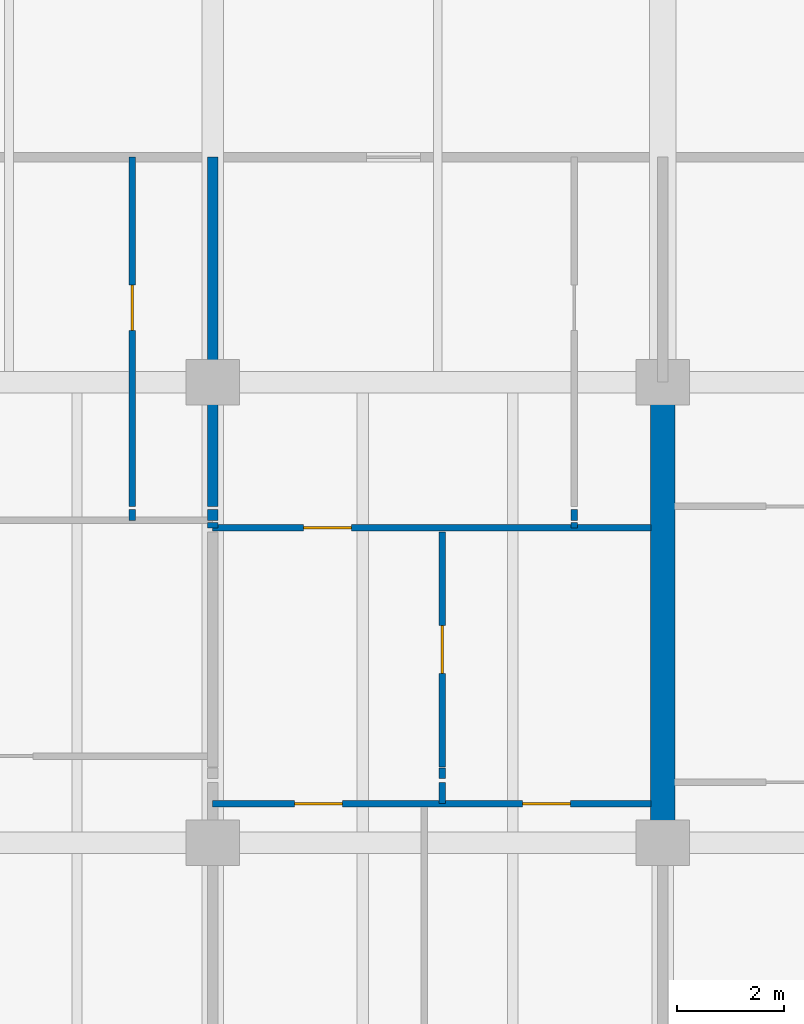
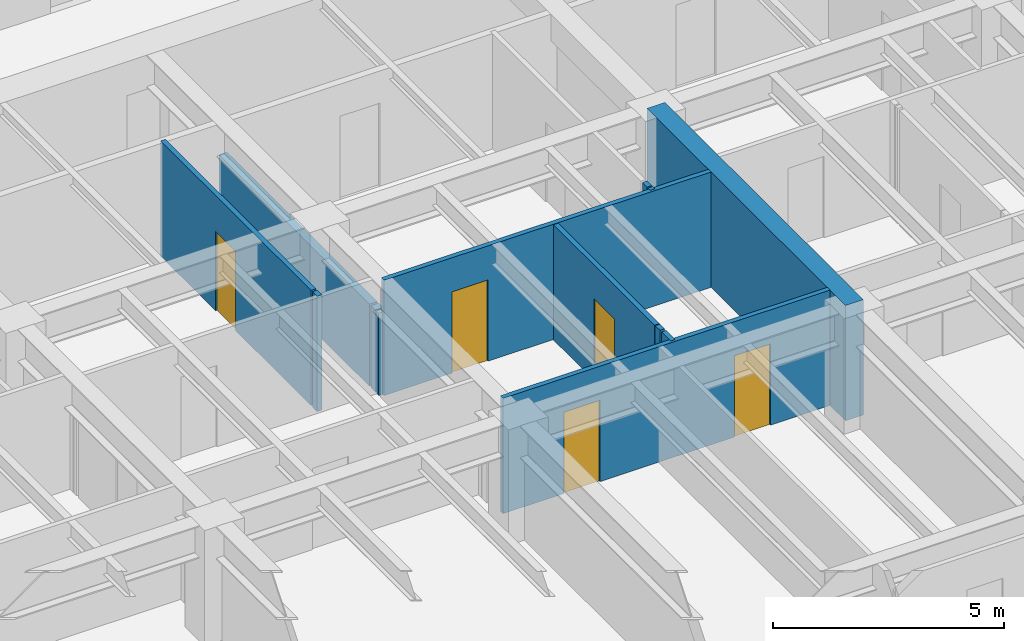
# One storey, part 9 of 20: 13 walls, 5 doors, 5 openings.
"""IFC4 building model written with IfcOpenShell, lengths in metres."""

from ifc_helpers import new_model, si_unit, direction, frame, frame_2d, origin, place, context, subcontext, project, spatial, rectangle, extrude, material, layer, layer_set, type_object, element, fill, save


model = new_model("IFC4")

# Units and contexts
model_context = context("Model", 3, precision=1e-05, world=origin(), true_north=direction((0.0, 1.0)))
body_context = subcontext(model_context, "Body", "Model", "MODEL_VIEW")
ifc_project = project(units=[si_unit("LENGTHUNIT", "METRE"), si_unit("AREAUNIT", "SQUARE_METRE"), si_unit("VOLUMEUNIT", "CUBIC_METRE"), si_unit("PLANEANGLEUNIT", "RADIAN"), si_unit("MASSUNIT", "GRAM", prefix="KILO")], contexts=[model_context])

# Site, building, storey
site_placement = place(None, origin())
site = spatial("IfcSite", under=ifc_project, at=site_placement, CompositionType="ELEMENT")
building_placement = place(site_placement, origin())
building = spatial("IfcBuilding", under=site, at=building_placement, Name="Caelmar Bay Residences", CompositionType="ELEMENT")
storey_placement = place(building_placement, frame((0.0, 0.0, 119.10009765625)))
storey = spatial("IfcBuildingStorey", under=building, at=storey_placement, Name="L32", CompositionType="ELEMENT", Elevation=119.10009765625)

# Walls
ifc_material_1 = material(Name="Concrete f'c 55 MPa (8,000 psi)", Category="concrete")
ifc_layer_1 = layer(ifc_material_1, 0.449951171875)
ifc_layer_set_1 = layer_set([ifc_layer_1], Name="Concrete f'c 55 MPa (8,000 psi)")
wall_type_1 = type_object("IfcWallType", Name="SW-XSLB-450", PredefinedType="SHEAR", material=ifc_layer_set_1)
wall_1_placement = place(storey_placement, frame((51.10009765625, 20.800048828125, 0.0), z_axis=(0.0, 0.0, 1.0), x_axis=(0.0, 1.0, 0.0)))
element("IfcWall", 1, at=wall_1_placement, inside=storey, type_object=wall_type_1, Name="L32 Transverse Cross-Slab Shear Wall E8", PredefinedType="SHEAR", context=body_context, shape_type="SweptSolid", body=[
    extrude(rectangle(XDim=8.599853515625, YDim=0.449951171875, at=frame_2d((4.2998046875, 0.0))), origin(), (0.0, 0.0, 1.0), 3.0498046875),
])
ifc_material_2 = material(Name="Acoustic metal-stud gypsum partition 120 mm")
ifc_layer_2 = layer(ifc_material_2, 0.1201171875)
ifc_layer_set_2 = layer_set([ifc_layer_2], Name="Acoustic metal-stud gypsum partition 120 mm")
wall_type_2 = type_object("IfcWallType", Name="W-PRT-120", PredefinedType="PARTITIONING", material=ifc_layer_set_2)
wall_2_placement = place(storey_placement, frame((41.199951171875, 26.820068359375, 0.0), z_axis=(0.0, 0.0, 1.0), x_axis=(0.0, 1.0, 0.0)))
element("IfcWall", 2, at=wall_2_placement, inside=storey, type_object=wall_type_2, Name="L32 Partition Wall V054", PredefinedType="PARTITIONING", context=body_context, shape_type="SweptSolid", body=[
    extrude(rectangle(XDim=0.199951171875, YDim=0.1201171875, at=frame_2d((0.10009765625, 0.0))), origin(), (0.0, 0.0, 1.0), 3.0498046875),
])

# Wall, opening, door
wall_3_placement = place(storey_placement, frame((41.199951171875, 27.080078125, 0.0), z_axis=(0.0, 0.0, 1.0), x_axis=(0.0, 1.0, 0.0)))
wall_3 = element("IfcWall", 3, at=wall_3_placement, inside=storey, type_object=wall_type_2, Name="L32 Partition Wall V055", PredefinedType="PARTITIONING", context=body_context, shape_type="SweptSolid", body=[
    extrude(rectangle(XDim=6.52001953125, YDim=0.1201171875, at=frame_2d((3.260009765625, 0.0))), origin(), (0.0, 0.0, 1.0), 3.0498046875),
])
opening_1_placement = place(wall_3_placement, frame((3.284912109375, 0.0, 0.0)))
opening_1 = element("IfcOpeningElement", 4, at=opening_1_placement, cuts=wall_3, Name="Opening D-L32-140", PredefinedType="OPENING", context=body_context, shape_type="SweptSolid", body=[
    extrude(rectangle(XDim=0.85009765625, YDim=2.10009765625, at=frame_2d((0.425048828125, 1.050048828125))), frame((0.0, 0.070068359375, 0.0), z_axis=(0.0, -1.0, 0.0), x_axis=(1.0, 0.0, 0.0)), (0.0, 0.0, 1.0), 0.14013671875),
])
ifc_material_3 = material(Name="Solid walnut timber interior door leaf and frame", Category="wood")
ifc_layer_3 = layer(ifc_material_3, 0.050048828125)
ifc_layer_set_3 = layer_set([ifc_layer_3], Name="Solid walnut timber interior door leaf and frame")
door_type_1 = type_object("IfcDoorType", Name="D-BATH-850", OperationType="NOTDEFINED", PredefinedType="DOOR", material=ifc_layer_set_3)
door_1_placement = place(opening_1_placement, origin())
door_1 = element("IfcDoor", 5, at=door_1_placement, inside=storey, type_object=door_type_1, Name="L32 Residence 02 En-Suite Bathroom 1 Door", OperationType="SINGLE_SWING_RIGHT", OverallHeight=2.10009765625, OverallWidth=0.85009765625, PredefinedType="DOOR", context=body_context, shape_type="SweptSolid", body=[
    extrude(rectangle(XDim=0.85009765625, YDim=2.10009765625, at=frame_2d((0.425048828125, 1.050048828125))), frame((0.0, 0.02490234375, 0.0), z_axis=(0.0, -1.0, 0.0), x_axis=(1.0, 0.0, 0.0)), (0.0, 0.0, 1.0), 0.050048828125),
])
fill(opening_1, door_1)

# Walls
wall_4_placement = place(storey_placement, frame((46.986083984375, 21.530029296875, 0.0), z_axis=(0.0, 0.0, 1.0), x_axis=(0.0, 1.0, 0.0)))
element("IfcWall", 6, at=wall_4_placement, inside=storey, type_object=wall_type_2, Name="L32 Partition Wall V069", PredefinedType="PARTITIONING", context=body_context, shape_type="SweptSolid", body=[
    extrude(rectangle(XDim=0.39990234375, YDim=0.1201171875, at=frame_2d((0.199951171875, 0.0))), origin(), (0.0, 0.0, 1.0), 3.0498046875),
])
wall_5_placement = place(storey_placement, frame((46.986083984375, 22.0, 0.0), z_axis=(0.0, 0.0, 1.0), x_axis=(0.0, 1.0, 0.0)))
element("IfcWall", 7, at=wall_5_placement, inside=storey, type_object=wall_type_2, Name="L32 Partition Wall V070", PredefinedType="PARTITIONING", context=body_context, shape_type="SweptSolid", body=[
    extrude(rectangle(XDim=0.199951171875, YDim=0.1201171875, at=frame_2d((0.10009765625, 0.0))), origin(), (0.0, 0.0, 1.0), 3.0498046875),
])

# Wall, opening, door
wall_6_placement = place(storey_placement, frame((46.986083984375, 22.219970703125, 0.0), z_axis=(0.0, 0.0, 1.0), x_axis=(0.0, 1.0, 0.0)))
wall_6 = element("IfcWall", 8, at=wall_6_placement, inside=storey, type_object=wall_type_2, Name="L32 Partition Wall V071", PredefinedType="PARTITIONING", context=body_context, shape_type="SweptSolid", body=[
    extrude(rectangle(XDim=4.380126953125, YDim=0.1201171875, at=frame_2d((2.18994140625, 0.0))), origin(), (0.0, 0.0, 1.0), 3.0498046875),
])
opening_2_placement = place(wall_6_placement, frame((1.739990234375, 0.0, 0.0)))
opening_2 = element("IfcOpeningElement", 9, at=opening_2_placement, cuts=wall_6, Name="Opening D-L32-146", PredefinedType="OPENING", context=body_context, shape_type="SweptSolid", body=[
    extrude(rectangle(XDim=0.89990234375, YDim=2.14990234375, at=frame_2d((0.449951171875, 1.074951171875))), frame((0.0, 0.070068359375, 0.0), z_axis=(0.0, -1.0, 0.0), x_axis=(1.0, 0.0, 0.0)), (0.0, 0.0, 1.0), 0.14013671875),
])
ifc_layer_4 = layer(ifc_material_3, 0.050048828125)
ifc_layer_set_4 = layer_set([ifc_layer_4], Name="Solid walnut timber interior door leaf and frame")
door_type_2 = type_object("IfcDoorType", Name="D-ROOM-900", OperationType="NOTDEFINED", PredefinedType="DOOR", material=ifc_layer_set_4)
door_2_placement = place(opening_2_placement, origin())
door_2 = element("IfcDoor", 10, at=door_2_placement, inside=storey, type_object=door_type_2, Name="L32 Residence 03 Private Meeting Room Door", OperationType="SINGLE_SWING_RIGHT", OverallHeight=2.14990234375, OverallWidth=0.89990234375, PredefinedType="DOOR", context=body_context, shape_type="SweptSolid", body=[
    extrude(rectangle(XDim=0.89990234375, YDim=2.14990234375, at=frame_2d((0.449951171875, 1.074951171875))), frame((0.0, 0.02490234375, 0.0), z_axis=(0.0, -1.0, 0.0), x_axis=(1.0, 0.0, 0.0)), (0.0, 0.0, 1.0), 0.050048828125),
])
fill(opening_2, door_2)

# Walls
wall_7_placement = place(storey_placement, frame((49.449951171875, 26.679931640625, 0.0), z_axis=(0.0, 0.0, 1.0), x_axis=(0.0, 1.0, 0.0)))
element("IfcWall", 11, at=wall_7_placement, inside=storey, type_object=wall_type_2, Name="L32 Partition Wall V073", PredefinedType="PARTITIONING", context=body_context, shape_type="SweptSolid", body=[
    extrude(rectangle(XDim=0.10009765625, YDim=0.1201171875, at=frame_2d((0.050048828125, 0.0))), origin(), (0.0, 0.0, 1.0), 3.0498046875),
])
wall_8_placement = place(storey_placement, frame((49.449951171875, 26.820068359375, 0.0), z_axis=(0.0, 0.0, 1.0), x_axis=(0.0, 1.0, 0.0)))
element("IfcWall", 12, at=wall_8_placement, inside=storey, type_object=wall_type_2, Name="L32 Partition Wall V074", PredefinedType="PARTITIONING", context=body_context, shape_type="SweptSolid", body=[
    extrude(rectangle(XDim=0.199951171875, YDim=0.1201171875, at=frame_2d((0.10009765625, 0.0))), origin(), (0.0, 0.0, 1.0), 3.0498046875),
])

# Wall, openings, doors
wall_9_placement = place(storey_placement, frame((42.699951171875, 21.530029296875, 0.0), z_axis=(0.0, 0.0, 1.0), x_axis=(1.0, 0.0, 0.0)))
wall_9 = element("IfcWall", 13, at=wall_9_placement, inside=storey, type_object=wall_type_2, Name="L32 Partition Wall H129", PredefinedType="PARTITIONING", context=body_context, shape_type="SweptSolid", body=[
    extrude(rectangle(XDim=8.179931640625, YDim=0.1201171875, at=frame_2d((4.08984375, 0.0))), origin(), (0.0, 0.0, 1.0), 3.0498046875),
])
opening_3_placement = place(wall_9_placement, frame((1.52392578125, 0.0, 0.0)))
opening_3 = element("IfcOpeningElement", 14, at=opening_3_placement, cuts=wall_9, Name="Opening D-L32-147", PredefinedType="OPENING", context=body_context, shape_type="SweptSolid", body=[
    extrude(rectangle(XDim=0.89990234375, YDim=2.14990234375, at=frame_2d((0.449951171875, 1.074951171875))), frame((0.0, 0.070068359375, 0.0), z_axis=(0.0, -1.0, 0.0), x_axis=(1.0, 0.0, 0.0)), (0.0, 0.0, 1.0), 0.14013671875),
])
opening_4_placement = place(wall_9_placement, frame((5.782958984375, 0.0, 0.0)))
opening_4 = element("IfcOpeningElement", 15, at=opening_4_placement, cuts=wall_9, Name="Opening D-L32-148", PredefinedType="OPENING", context=body_context, shape_type="SweptSolid", body=[
    extrude(rectangle(XDim=0.89990234375, YDim=2.14990234375, at=frame_2d((0.449951171875, 1.074951171875))), frame((0.0, 0.070068359375, 0.0), z_axis=(0.0, -1.0, 0.0), x_axis=(1.0, 0.0, 0.0)), (0.0, 0.0, 1.0), 0.14013671875),
])
door_3_placement = place(opening_3_placement, origin())
door_3 = element("IfcDoor", 16, at=door_3_placement, inside=storey, type_object=door_type_2, Name="L32 Residence 03 Living Room Door", OperationType="SINGLE_SWING_LEFT", OverallHeight=2.14990234375, OverallWidth=0.89990234375, PredefinedType="DOOR", context=body_context, shape_type="SweptSolid", body=[
    extrude(rectangle(XDim=0.89990234375, YDim=2.14990234375, at=frame_2d((0.449951171875, 1.074951171875))), frame((0.0, 0.02490234375, 0.0), z_axis=(0.0, -1.0, 0.0), x_axis=(1.0, 0.0, 0.0)), (0.0, 0.0, 1.0), 0.050048828125),
])
fill(opening_3, door_3)
door_4_placement = place(opening_4_placement, origin())
door_4 = element("IfcDoor", 17, at=door_4_placement, inside=storey, type_object=door_type_2, Name="L32 Residence 03 Penthouse Sitting Room Door", OperationType="SINGLE_SWING_RIGHT", OverallHeight=2.14990234375, OverallWidth=0.89990234375, PredefinedType="DOOR", context=body_context, shape_type="SweptSolid", body=[
    extrude(rectangle(XDim=0.89990234375, YDim=2.14990234375, at=frame_2d((0.449951171875, 1.074951171875))), frame((0.0, 0.02490234375, 0.0), z_axis=(0.0, -1.0, 0.0), x_axis=(1.0, 0.0, 0.0)), (0.0, 0.0, 1.0), 0.050048828125),
])
fill(opening_4, door_4)

# Wall, opening, door
wall_10_placement = place(storey_placement, frame((42.699951171875, 26.679931640625, 0.0), z_axis=(0.0, 0.0, 1.0), x_axis=(1.0, 0.0, 0.0)))
wall_10 = element("IfcWall", 18, at=wall_10_placement, inside=storey, type_object=wall_type_2, Name="L32 Partition Wall H137", PredefinedType="PARTITIONING", context=body_context, shape_type="SweptSolid", body=[
    extrude(rectangle(XDim=8.179931640625, YDim=0.1201171875, at=frame_2d((4.08984375, 0.0))), origin(), (0.0, 0.0, 1.0), 3.0498046875),
])
opening_5_placement = place(wall_10_placement, frame((1.693115234375, 0.0, 0.0)))
opening_5 = element("IfcOpeningElement", 19, at=opening_5_placement, cuts=wall_10, Name="Opening D-L32-145", PredefinedType="OPENING", context=body_context, shape_type="SweptSolid", body=[
    extrude(rectangle(XDim=0.89990234375, YDim=2.14990234375, at=frame_2d((0.449951171875, 1.074951171875))), frame((0.0, 0.070068359375, 0.0), z_axis=(0.0, -1.0, 0.0), x_axis=(1.0, 0.0, 0.0)), (0.0, 0.0, 1.0), 0.14013671875),
])
door_5_placement = place(opening_5_placement, origin())
door_5 = element("IfcDoor", 20, at=door_5_placement, inside=storey, type_object=door_type_2, Name="L32 Residence 03 Kitchen Door", OperationType="SINGLE_SWING_LEFT", OverallHeight=2.14990234375, OverallWidth=0.89990234375, PredefinedType="DOOR", context=body_context, shape_type="SweptSolid", body=[
    extrude(rectangle(XDim=0.89990234375, YDim=2.14990234375, at=frame_2d((0.449951171875, 1.074951171875))), frame((0.0, 0.02490234375, 0.0), z_axis=(0.0, -1.0, 0.0), x_axis=(1.0, 0.0, 0.0)), (0.0, 0.0, 1.0), 0.050048828125),
])
fill(opening_5, door_5)

# Walls
ifc_material_4 = material(Name="Acoustic twin-stud fire-rated inter-tenancy partition 200 mm")
ifc_layer_5 = layer(ifc_material_4, 0.199951171875)
ifc_layer_set_5 = layer_set([ifc_layer_5], Name="Acoustic twin-stud fire-rated inter-tenancy partition 200 mm")
wall_type_3 = type_object("IfcWallType", Name="W-PTY-200", PredefinedType="PARTITIONING", material=ifc_layer_set_5)
wall_11_placement = place(storey_placement, frame((42.699951171875, 26.679931640625, 0.0), z_axis=(0.0, 0.0, 1.0), x_axis=(0.0, 1.0, 0.0)))
element("IfcWall", 21, at=wall_11_placement, inside=storey, type_object=wall_type_3, Name="L32 Partition Wall V061", PredefinedType="PARTITIONING", context=body_context, shape_type="SweptSolid", body=[
    extrude(rectangle(XDim=0.10009765625, YDim=0.199951171875, at=frame_2d((0.050048828125, 0.0))), origin(), (0.0, 0.0, 1.0), 2.173828125),
])
wall_12_placement = place(storey_placement, frame((42.699951171875, 26.820068359375, 0.0), z_axis=(0.0, 0.0, 1.0), x_axis=(0.0, 1.0, 0.0)))
element("IfcWall", 22, at=wall_12_placement, inside=storey, type_object=wall_type_3, Name="L32 Partition Wall V062", PredefinedType="PARTITIONING", context=body_context, shape_type="SweptSolid", body=[
    extrude(rectangle(XDim=0.199951171875, YDim=0.199951171875, at=frame_2d((0.10009765625, 0.0))), origin(), (0.0, 0.0, 1.0), 2.173828125),
])
wall_13_placement = place(storey_placement, frame((42.699951171875, 27.080078125, 0.0), z_axis=(0.0, 0.0, 1.0), x_axis=(0.0, 1.0, 0.0)))
element("IfcWall", 23, at=wall_13_placement, inside=storey, type_object=wall_type_3, Name="L32 Partition Wall V063", PredefinedType="PARTITIONING", context=body_context, shape_type="SweptSolid", body=[
    extrude(rectangle(XDim=6.52001953125, YDim=0.199951171875, at=frame_2d((3.260009765625, 0.0))), origin(), (0.0, 0.0, 1.0), 2.173828125),
])

save(model, "model.ifc")
